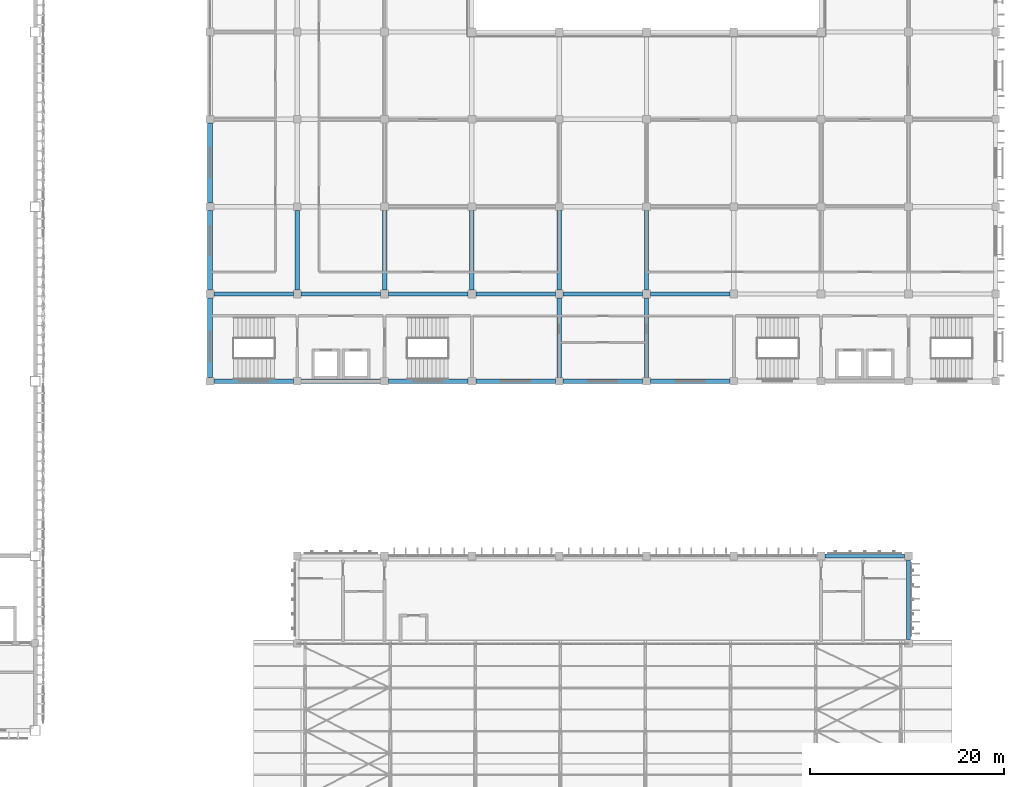
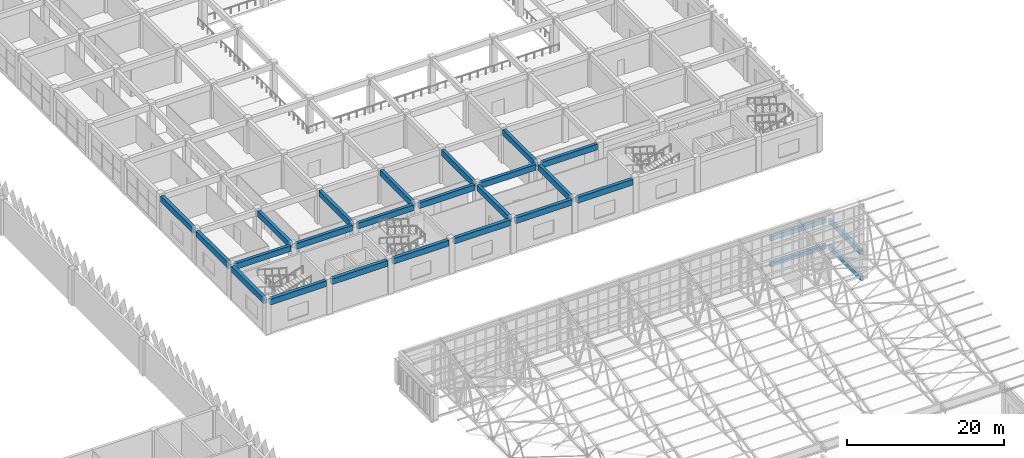
# One storey, part 69 of 185: 26 beams.
"""IFC4 building model written with IfcOpenShell, lengths in metres."""

from ifc_helpers import new_model, si_unit, direction, frame, origin, origin_2d, place, context, subcontext, project, spatial, rectangle, extrude, material, material_profile, profile_set, type_object, element, save


model = new_model("IFC4")

# Units and contexts
model_context = context("Model", 3, precision=1e-05, world=origin(), true_north=direction((0.0, 1.0)))
body_context = subcontext(model_context, "Body", "Model", "MODEL_VIEW")
ifc_project = project(units=[si_unit("LENGTHUNIT", "METRE"), si_unit("AREAUNIT", "SQUARE_METRE"), si_unit("VOLUMEUNIT", "CUBIC_METRE"), si_unit("PLANEANGLEUNIT", "RADIAN"), si_unit("MASSUNIT", "GRAM", prefix="KILO")], contexts=[model_context])

# Site, building, storey
site_placement = place(None, origin())
site = spatial("IfcSite", under=ifc_project, at=site_placement, CompositionType="ELEMENT")
building_placement = place(site_placement, origin())
building = spatial("IfcBuilding", under=site, at=building_placement, Name="Opaline Strait Convention Centre", CompositionType="ELEMENT")
storey_placement = place(building_placement, frame((0.0, 0.0, 6.0)))
storey = spatial("IfcBuildingStorey", under=building, at=storey_placement, Name="L01", CompositionType="ELEMENT", Elevation=6.0)

# Beams
ifc_material = material(Name="Concrete C35", Category="concrete")
ifc_material_profile_1 = material_profile(ifc_material, rectangle(XDim=0.449951171875, YDim=0.89990234375, at=origin_2d()), Name="RC 450x900")
ifc_profile_set_1 = profile_set([ifc_material_profile_1], Name="Concrete C35")
beam_type_1 = type_object("IfcBeamType", Name="RC beam 450x900 C35", PredefinedType="BEAM", material=ifc_profile_set_1)
for number, where, z_axis, x_axis, name in (
    (1, (279.39990234375, 99.0, 4.77001953125), (1.0, 0.0, 0.0), (0.0, 1.0, 0.0), "XB1 L01 32/M-33/M"),
    (2, (288.39990234375, 99.0, 4.77001953125), (1.0, 0.0, 0.0), (0.0, 1.0, 0.0), "XB1 L01 33/M-34/M"),
    (3, (297.39990234375, 99.0, 4.77001953125), (1.0, 0.0, 0.0), (0.0, 1.0, 0.0), "XB1 L01 34/M-35/M"),
    (4, (306.39990234375, 99.0, 4.77001953125), (1.0, 0.0, 0.0), (0.0, 1.0, 0.0), "XB1 L01 35/M-36/M"),
    (5, (315.39990234375, 99.0, 4.77001953125), (1.0, 0.0, 0.0), (0.0, 1.0, 0.0), "XB1 L01 36/M-37/M"),
    (6, (324.39990234375, 99.0, 4.77001953125), (1.0, 0.0, 0.0), (0.0, 1.0, 0.0), "XB1 L01 37/M-38/M"),
    (7, (288.0, 99.39990234375, 4.77001953125), (0.0, 1.0, 0.0), (-1.0, 0.0, 0.0), "XB1 L01 33/M-33/N"),
    (8, (297.0, 99.39990234375, 4.77001953125), (0.0, 1.0, 0.0), (-1.0, 0.0, 0.0), "XB1 L01 34/M-34/N"),
    (9, (306.0, 99.39990234375, 4.77001953125), (0.0, 1.0, 0.0), (-1.0, 0.0, 0.0), "XB1 L01 35/M-35/N"),
    (10, (315.0, 90.39990234375, 4.77001953125), (0.0, 1.0, 0.0), (-1.0, 0.0, 0.0), "XB1 L01 36/L-36/M"),
    (11, (315.0, 99.39990234375, 4.77001953125), (0.0, 1.0, 0.0), (-1.0, 0.0, 0.0), "XB1 L01 36/M-36/N"),
    (12, (324.0, 90.39990234375, 4.77001953125), (0.0, 1.0, 0.0), (-1.0, 0.0, 0.0), "XB1 L01 37/L-37/M"),
    (13, (324.0, 99.39990234375, 4.77001953125), (0.0, 1.0, 0.0), (-1.0, 0.0, 0.0), "XB1 L01 37/M-37/N"),
):
    element("IfcBeam", number, at=place(storey_placement, frame(where, z_axis=z_axis, x_axis=x_axis)), inside=storey, type_object=beam_type_1, Name=name, PredefinedType="BEAM", context=body_context, shape_type="SweptSolid", body=[
        extrude(rectangle(XDim=0.449951171875, YDim=0.89990234375, at=origin_2d()), origin(), (0.0, 0.0, 1.0), 8.2001953125),
    ])
ifc_material_profile_2 = material_profile(ifc_material, rectangle(XDim=0.5, YDim=0.89990234375, at=origin_2d()), Name="RC 500x900")
ifc_profile_set_2 = profile_set([ifc_material_profile_2], Name="Concrete C35")
beam_type_2 = type_object("IfcBeamType", Name="RC edge beam 500x900 C35", PredefinedType="BEAM", material=ifc_profile_set_2)
for number, where, z_axis, x_axis, name in (
    (14, (279.39990234375, 90.0, 4.77001953125), (1.0, 0.0, 0.0), (0.0, 1.0, 0.0), "MRB2 L01 32/L-33/L"),
    (15, (288.39990234375, 90.0, 4.77001953125), (1.0, 0.0, 0.0), (0.0, 1.0, 0.0), "MRB2 L01 33/L-34/L"),
    (16, (297.39990234375, 90.0, 4.77001953125), (1.0, 0.0, 0.0), (0.0, 1.0, 0.0), "MRB2 L01 34/L-35/L"),
    (17, (306.39990234375, 90.0, 4.77001953125), (1.0, 0.0, 0.0), (0.0, 1.0, 0.0), "MRB2 L01 35/L-36/L"),
    (18, (315.39990234375, 90.0, 4.77001953125), (1.0, 0.0, 0.0), (0.0, 1.0, 0.0), "MRB2 L01 36/L-37/L"),
    (19, (324.39990234375, 90.0, 4.77001953125), (1.0, 0.0, 0.0), (0.0, 1.0, 0.0), "MRB2 L01 37/L-38/L"),
    (20, (279.0, 90.39990234375, 4.77001953125), (0.0, 1.0, 0.0), (-1.0, 0.0, 0.0), "MRB2 L01 32/L-32/M"),
    (21, (279.0, 99.39990234375, 4.77001953125), (0.0, 1.0, 0.0), (-1.0, 0.0, 0.0), "MRB2 L01 32/M-32/N"),
    (22, (279.0, 108.39990234375, 4.77001953125), (0.0, 1.0, 0.0), (-1.0, 0.0, 0.0), "MRB2 L01 32/N-32/P"),
):
    element("IfcBeam", number, at=place(storey_placement, frame(where, z_axis=z_axis, x_axis=x_axis)), inside=storey, type_object=beam_type_2, Name=name, PredefinedType="BEAM", context=body_context, shape_type="SweptSolid", body=[
        extrude(rectangle(XDim=0.5, YDim=0.89990234375, at=origin_2d()), origin(), (0.0, 0.0, 1.0), 8.2001953125),
    ])
ifc_material_profile_3 = material_profile(ifc_material, rectangle(XDim=0.39990234375, YDim=0.699951171875, at=origin_2d()), Name="RC 400x700")
ifc_profile_set_3 = profile_set([ifc_material_profile_3], Name="Concrete C35")
beam_type_3 = type_object("IfcBeamType", Name="RC girder 400x700 C35", PredefinedType="BEAM", material=ifc_profile_set_3)
for number, where, z_axis, x_axis, name in (
    (23, (342.39990234375, 72.0, -0.6298828125), (1.0, 0.0, 0.0), (0.0, 1.0, 0.0), "BB1 girder 39/J-40/J F"),
    (24, (351.0, 63.39990234375, -0.6298828125), (0.0, 1.0, 0.0), (-1.0, 0.0, 0.0), "BB1 girder 40/H-40/J F"),
    (25, (342.39990234375, 72.0, 3.39990234375), (1.0, 0.0, 0.0), (0.0, 1.0, 0.0), "BB1 girder 39/J-40/J R"),
    (26, (351.0, 63.39990234375, 3.39990234375), (0.0, 1.0, 0.0), (-1.0, 0.0, 0.0), "BB1 girder 40/H-40/J R"),
):
    element("IfcBeam", number, at=place(storey_placement, frame(where, z_axis=z_axis, x_axis=x_axis)), inside=storey, type_object=beam_type_3, Name=name, PredefinedType="BEAM", context=body_context, shape_type="SweptSolid", body=[
        extrude(rectangle(XDim=0.39990234375, YDim=0.699951171875, at=origin_2d()), origin(), (0.0, 0.0, 1.0), 8.2001953125),
    ])

save(model, "model.ifc")
